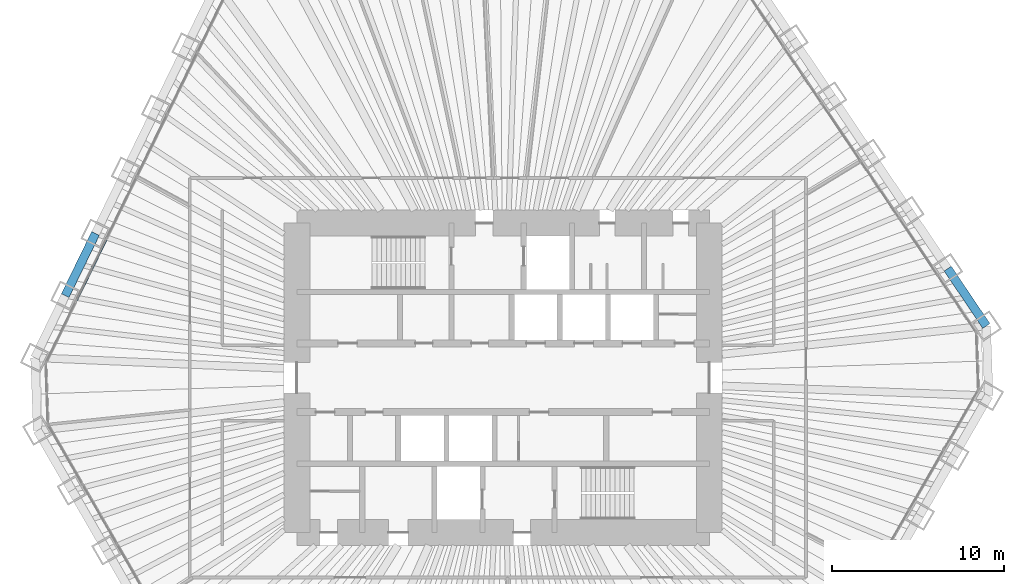
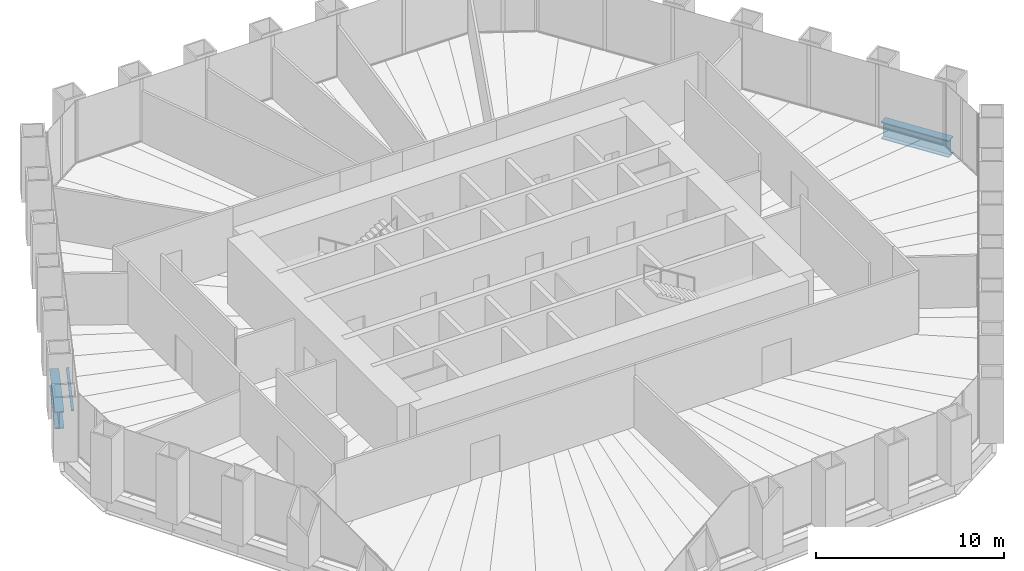
# One storey, part 5 of 13: 2 beams, 1 member, 1 element without a shape of its own.
"""IFC4 building model written with IfcOpenShell, lengths in metres."""

import ifcopenshell
import ifcopenshell.guid

model = None  # the IFC model being written
_history = None  # IfcOwnerHistory: only IFC2X3 demands one
_inside = {}  # id of a spatial element -> (the spatial element, [elements in it])
_under = {}  # id of a project, library or spatial element -> (it, [spatial elements below it])
_declared = {}  # id of a project -> (the project, [libraries it declares])
_typed = {}  # id of a type object -> (the type object, [elements of that type])
_made_of = {}  # id of a material, layer set ... -> (it, [elements and type objects made of it])


def new_model(schema):
    """Start an empty IFC model of exactly this schema.

    Asked for "IFC4X3", IfcOpenShell would pick the latest addendum, in which some entities
    have other attributes; the version numbers below select the first issue.
    IFC2X3 requires an IfcOwnerHistory on every rooted entity: one is made here for all.
    """
    global model, _history
    if schema == "IFC4X3":
        model = ifcopenshell.file(schema_version=(4, 3, 0, 0))
    else:
        model = ifcopenshell.file(schema=schema)
    _inside.clear()
    _under.clear()
    _declared.clear()
    _typed.clear()
    _made_of.clear()
    _history = None
    if model.schema == "IFC2X3":
        org = make("IfcOrganization", Name="unknown")
        user = make(
            "IfcPersonAndOrganization",
            ThePerson=make("IfcPerson", FamilyName="unknown"),
            TheOrganization=org,
        )
        app = make(
            "IfcApplication",
            ApplicationDeveloper=org,
            Version="unknown",
            ApplicationFullName="unknown",
            ApplicationIdentifier="unknown",
        )
        _history = make(
            "IfcOwnerHistory",
            OwningUser=user,
            OwningApplication=app,
            ChangeAction="ADDED",
            CreationDate=0,
        )
    return model


def make(cls, **values):
    """One entity of the class cls with the attributes given. An attribute that is None is left unset."""
    return model.create_entity(
        cls, **{name: value for name, value in values.items() if value is not None}
    )


def rooted(cls, **values):
    """An entity with a GlobalId (a new one), such as an element, a storey or a relation."""
    return make(cls, GlobalId=ifcopenshell.guid.new(), OwnerHistory=_history, **values)


def si_unit(unit_type, name, prefix=None):
    """IfcSIUnit, for example si_unit("LENGTHUNIT", "METRE", prefix="MILLI")."""
    return make("IfcSIUnit", UnitType=unit_type, Prefix=prefix, Name=name)


def assignment(units):
    """IfcUnitAssignment: the units of a project."""
    return None if units is None else make("IfcUnitAssignment", Units=units)


def point(xyz):
    """IfcCartesianPoint."""
    return None if xyz is None else make("IfcCartesianPoint", Coordinates=xyz)


def direction(xyz):
    """IfcDirection."""
    return None if xyz is None else make("IfcDirection", DirectionRatios=xyz)


def frame(location, z_axis=None, x_axis=None):
    """IfcAxis2Placement3D, a coordinate frame: its origin and axes. An axis left out is left unset."""
    return make(
        "IfcAxis2Placement3D",
        Location=point(location),
        Axis=direction(z_axis),
        RefDirection=direction(x_axis),
    )


def frame_2d(location, x_axis=None):
    """IfcAxis2Placement2D, a coordinate frame in the plane: its origin and x axis."""
    return make(
        "IfcAxis2Placement2D", Location=point(location), RefDirection=direction(x_axis)
    )


def origin():
    """The frame at (0, 0, 0) with its axes left unset."""
    return frame((0.0, 0.0, 0.0))


def origin_2d():
    """The frame at (0, 0) in the plane with its x axis left unset."""
    return frame_2d((0.0, 0.0))


def place(relative_to, where):
    """IfcLocalPlacement: puts the frame where relative to a parent placement (None: the world)."""
    return make(
        "IfcLocalPlacement", PlacementRelTo=relative_to, RelativePlacement=where
    )


def context(
    kind, dimensions, precision=None, world=None, true_north=None, identifier=None
):
    """IfcGeometricRepresentationContext, for example the 3D "Model" context."""
    return make(
        "IfcGeometricRepresentationContext",
        ContextIdentifier=identifier,
        ContextType=kind,
        CoordinateSpaceDimension=dimensions,
        Precision=precision,
        WorldCoordinateSystem=world,
        TrueNorth=true_north,
    )


def subcontext(parent, identifier, kind, view, scale=None):
    """IfcGeometricRepresentationSubContext, for example "Body" below "Model"."""
    return make(
        "IfcGeometricRepresentationSubContext",
        ContextIdentifier=identifier,
        ContextType=kind,
        ParentContext=parent,
        TargetScale=scale,
        TargetView=view,
    )


def project(units=None, contexts=None):
    """IfcProject with its units and contexts."""
    return rooted(
        "IfcProject",
        Name="project",
        RepresentationContexts=contexts,
        UnitsInContext=assignment(units),
    )


def spatial(cls, under=None, at=None, **own):
    """A site, building, storey or space (cls), placed at a placement, below another one or the project."""
    s = rooted(cls, ObjectPlacement=at, **own)
    if under is not None:
        _under.setdefault(under.id(), (under, []))[1].append(s)
    return s


def profile(cls, at=None, kind="AREA", **sizes):
    """A parametric profile (cls). Its sizes go by their IFC names, for example OverallWidth=200.0."""
    return make(cls, ProfileType=kind, Position=at, **sizes)


def rectangle(**sizes):
    """IfcRectangleProfileDef."""
    return profile("IfcRectangleProfileDef", **sizes)


def i_section(**sizes):
    """IfcIShapeProfileDef."""
    return profile("IfcIShapeProfileDef", **sizes)


def extrude(swept, where, along, depth):
    """IfcExtrudedAreaSolid: the profile swept, set in the frame where, extruded along a direction by depth."""
    return make(
        "IfcExtrudedAreaSolid",
        SweptArea=swept,
        Position=where,
        ExtrudedDirection=direction(along),
        Depth=depth,
    )


def shape(context_of_items, identifier, shape_type, items):
    """IfcShapeRepresentation: the items that make up one representation, for example the "Body"."""
    return make(
        "IfcShapeRepresentation",
        ContextOfItems=context_of_items,
        RepresentationIdentifier=identifier,
        RepresentationType=shape_type,
        Items=items,
    )


def material(Name=None, Category=None):
    """IfcMaterial."""
    return make("IfcMaterial", Name=Name, Category=Category)


def material_profile(
    of_material, cross_section, Name=None, Category=None, Priority=None
):
    """IfcMaterialProfile: a cross section and its material."""
    return make(
        "IfcMaterialProfile",
        Name=Name,
        Material=of_material,
        Profile=cross_section,
        Priority=Priority,
        Category=Category,
    )


def profile_set(profiles, Name=None, composite=None):
    """IfcMaterialProfileSet."""
    return make(
        "IfcMaterialProfileSet",
        Name=Name,
        MaterialProfiles=profiles,
        CompositeProfile=composite,
    )


def made_of(thing, what):
    """Note that an element or type object is made of a material, layer set ...; save() writes the relation."""
    if what is not None:
        _made_of.setdefault(what.id(), (what, []))[1].append(thing)
    return thing


def type_object(cls, material=None, **own):
    """A type object (cls), such as IfcWallType, which elements share."""
    return made_of(rooted(cls, **own), material)


def element(
    cls,
    number,
    at=None,
    inside=None,
    cuts=None,
    type_object=None,
    material=None,
    context=None,
    identifier="Body",
    shape_type=None,
    held_by="IfcProductDefinitionShape",
    body=None,
    shapes=None,
    **own,
):
    """One element of the class cls, such as IfcWall. Its Tag is "e" and its number.

    at: its placement. inside: the storey or other place that contains it. cuts: it is an
    opening in that element (IfcRelVoidsElement). A single representation is given by context,
    identifier, shape_type and body (its items); several are given by shapes. held_by: the class
    of the entity that holds the representations. save() writes the other relations.
    """
    e = rooted(cls, Tag="e%d" % number, ObjectPlacement=at, **own)
    if body is not None:
        shapes = [shape(context, identifier, shape_type, body)]
    if shapes is not None:
        e.Representation = make(held_by, Representations=shapes)
    if inside is not None:
        _inside.setdefault(inside.id(), (inside, []))[1].append(e)
    if cuts is not None:
        rooted(
            "IfcRelVoidsElement", RelatingBuildingElement=cuts, RelatedOpeningElement=e
        )
    if type_object is not None:
        _typed.setdefault(type_object.id(), (type_object, []))[1].append(e)
    return made_of(e, material)


def aggregate(whole, parts):
    """IfcRelAggregates: a whole, such as a stair, and the parts it consists of."""
    return rooted("IfcRelAggregates", RelatingObject=whole, RelatedObjects=parts)


def save(model, path):
    """Write the relations noted so far, then the file.

    IfcRelAggregates (storeys below a building ...), IfcRelContainedInSpatialStructure (elements
    in a storey), IfcRelDefinesByType, IfcRelAssociatesMaterial and IfcRelDeclares: one each for
    every whole, place, type object, material and project.
    """
    for whole, parts in _under.values():
        aggregate(whole, parts)
    for where, things in _inside.values():
        rooted(
            "IfcRelContainedInSpatialStructure",
            RelatedElements=things,
            RelatingStructure=where,
        )
    for kind, things in _typed.values():
        rooted("IfcRelDefinesByType", RelatedObjects=things, RelatingType=kind)
    for what, things in _made_of.values():
        rooted("IfcRelAssociatesMaterial", RelatedObjects=things, RelatingMaterial=what)
    for by, libraries in _declared.values():
        rooted("IfcRelDeclares", RelatingContext=by, RelatedDefinitions=libraries)
    model.write(path)


model = new_model("IFC4")

# Units and contexts
model_context = context("Model", 3, precision=1e-05, world=origin(), true_north=direction((0.0, 1.0)))
body_context = subcontext(model_context, "Body", "Model", "MODEL_VIEW")
ifc_project = project(units=[si_unit("LENGTHUNIT", "METRE"), si_unit("AREAUNIT", "SQUARE_METRE"), si_unit("VOLUMEUNIT", "CUBIC_METRE"), si_unit("PLANEANGLEUNIT", "RADIAN"), si_unit("MASSUNIT", "GRAM", prefix="KILO")], contexts=[model_context])

# Site, building, storey
site_placement = place(None, origin())
site = spatial("IfcSite", under=ifc_project, at=site_placement, CompositionType="ELEMENT")
building_placement = place(site_placement, origin())
building = spatial("IfcBuilding", under=site, at=building_placement, Name="Qingtian Harvest Tower", CompositionType="ELEMENT")
storey_placement = place(building_placement, frame((0.0, 0.0, 136.60009765625)))
storey = spatial("IfcBuildingStorey", under=building, at=storey_placement, Name="L28", CompositionType="ELEMENT", Elevation=136.60009765625)

# Beams
ifc_material_1 = material(Name="Steel SM570MC", Category="steel")
ifc_material_profile_1 = material_profile(ifc_material_1, i_section(OverallWidth=0.5, OverallDepth=1.10009765625, WebThickness=0.02490234375, FlangeThickness=0.050048828125, at=origin_2d()), Name="H1100x500x25x50")
ifc_profile_set_1 = profile_set([ifc_material_profile_1], Name="Steel SM570MC")
beam_type = type_object("IfcBeamType", Name="Spandrel beam SB2 H1100x500x25x50", PredefinedType="SPANDREL", material=ifc_profile_set_1)
for number, where, z_axis, x_axis, name in (
    (1, (25.8720703125, 6.3505859375, -0.550048828125), (0.55916400171, -0.829057066306, 0.0), (0.829057066306, 0.55916400171, 0.0), "Spandrel SB2 NE5"),
    (2, (-25.483154296875, 4.78125, -0.550048828125), (0.438396105405, 0.89878187274, 0.0), (-0.89878187274, 0.438396105405, 0.0), "Spandrel SB2 NW1"),
):
    element("IfcBeam", number, at=place(storey_placement, frame(where, z_axis=z_axis, x_axis=x_axis)), inside=storey, type_object=beam_type, Name=name, PredefinedType="SPANDREL", context=body_context, shape_type="SweptSolid", body=[
        extrude(i_section(OverallWidth=0.5, OverallDepth=1.10009765625, WebThickness=0.02490234375, FlangeThickness=0.050048828125, at=origin_2d()), origin(), (0.0, 0.0, 1.0), 4.01904296875),
    ])

# Curtain wall, member
ifc_material_2 = material(Name="Bronze-anodised aluminium curtain wall", Category="aluminium")
curtain_wall_type = type_object("IfcCurtainWallType", Name="Curtain wall CW4 office", PredefinedType="USERDEFINED", material=ifc_material_2)
curtain_wall_placement = place(storey_placement, origin())
curtain_wall = element("IfcCurtainWall", 3, at=curtain_wall_placement, inside=storey, type_object=curtain_wall_type, Name="Curtain wall CW4 L28 NW0-5", ObjectType="RECESSED CURTAIN WALL", PredefinedType="USERDEFINED")
ifc_material_3 = material(Name="Bronze-anodised aluminium transom", Category="aluminium")
ifc_material_profile_2 = material_profile(ifc_material_3, rectangle(XDim=0.14990234375, YDim=0.06494140625, at=origin_2d()), Name="AL 65x150")
ifc_profile_set_2 = profile_set([ifc_material_profile_2], Name="Bronze-anodised aluminium transom")
member_type = type_object("IfcMemberType", Name="Transom CWT 65x150", PredefinedType="USERDEFINED", material=ifc_profile_set_2)
member_placement = place(storey_placement, frame((-24.839599609375, 4.503662109375, 0.032470703125), z_axis=(0.438374972828, 0.898792180205, 0.0), x_axis=(-0.898792180205, 0.438374972828, 0.0)))
member = element("IfcMember", 4, at=member_placement, type_object=member_type, Name="CW4 transom 2.1", ObjectType="TRANSOM", PredefinedType="USERDEFINED", context=body_context, shape_type="SweptSolid", body=[
    extrude(rectangle(XDim=0.14990234375, YDim=0.06494140625, at=origin_2d()), origin(), (0.0, 0.0, 1.0), 3.9541015625),
])
aggregate(curtain_wall, [member])

save(model, "model.ifc")
